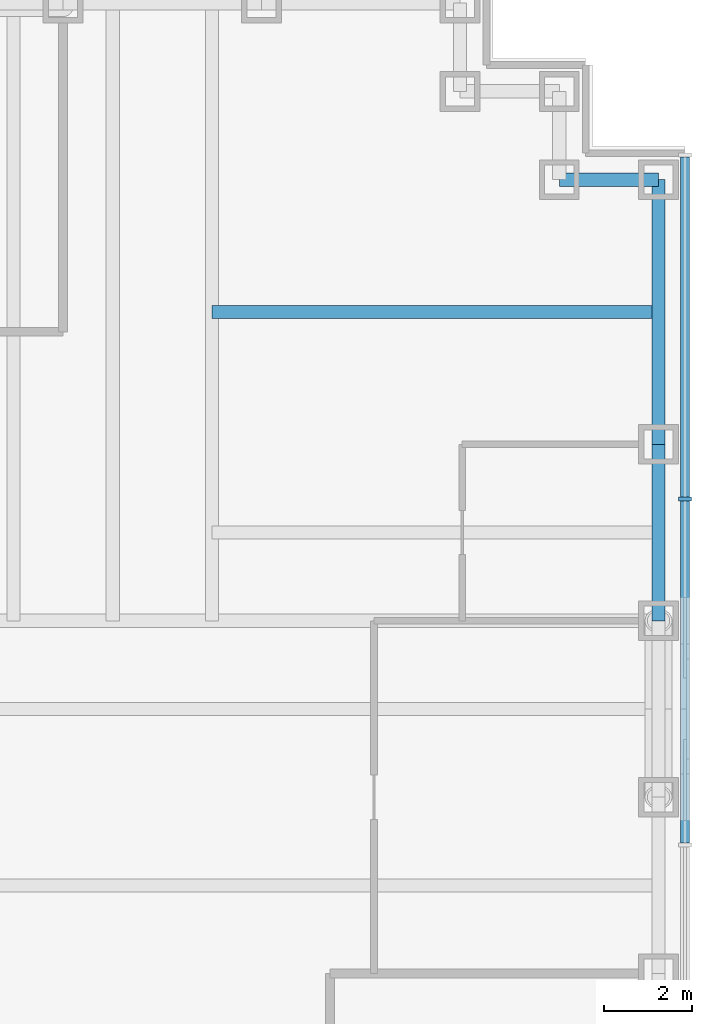
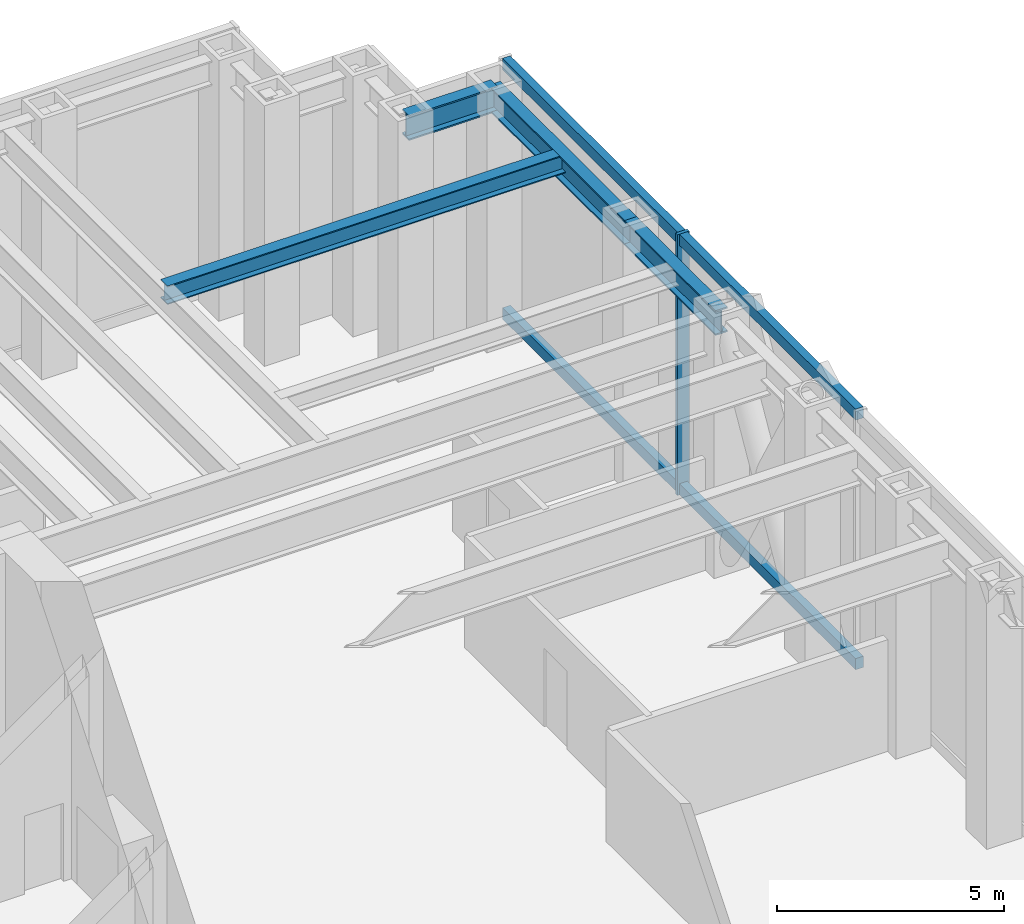
# One storey, part 8 of 17: 5 members, 4 beams, 1 element without a shape of its own.
"""IFC4 building model written with IfcOpenShell, lengths in metres."""

from ifc_helpers import new_model, si_unit, direction, frame, origin, origin_2d, place, context, subcontext, project, spatial, rectangle, i_section, extrude, material, material_profile, profile_set, type_object, element, aggregate, save


model = new_model("IFC4")

# Units and contexts
model_context = context("Model", 3, precision=1e-05, world=origin(), true_north=direction((0.0, 1.0)))
body_context = subcontext(model_context, "Body", "Model", "MODEL_VIEW")
ifc_project = project(units=[si_unit("LENGTHUNIT", "METRE"), si_unit("AREAUNIT", "SQUARE_METRE"), si_unit("VOLUMEUNIT", "CUBIC_METRE"), si_unit("PLANEANGLEUNIT", "RADIAN"), si_unit("MASSUNIT", "GRAM", prefix="KILO")], contexts=[model_context])

# Site, building, storey
site_placement = place(None, origin())
site = spatial("IfcSite", under=ifc_project, at=site_placement, CompositionType="ELEMENT")
building_placement = place(site_placement, origin())
building = spatial("IfcBuilding", under=site, at=building_placement, Name="Rheinbord Bourse Tower", CompositionType="ELEMENT")
storey_placement = place(building_placement, frame((0.0, 0.0, 6.0)))
storey = spatial("IfcBuildingStorey", under=building, at=storey_placement, Name="L01", CompositionType="ELEMENT", Elevation=6.0)

# Curtain wall, members
ifc_material_1 = material(Name="Dark glass and black aluminium", Category="aluminium")
curtain_wall_type = type_object("IfcCurtainWallType", Name="CW4 DARK GLASS CURTAIN WALL", PredefinedType="USERDEFINED", material=ifc_material_1)
curtain_wall_placement = place(storey_placement, origin())
curtain_wall = element("IfcCurtainWall", 1, at=curtain_wall_placement, inside=storey, type_object=curtain_wall_type, Name="Curtain wall CW4 E L01", ObjectType="UNITISED CURTAIN WALL", PredefinedType="USERDEFINED")
ifc_material_2 = material(Name="Black anodised aluminium", Category="aluminium")
ifc_material_profile_1 = material_profile(ifc_material_2, rectangle(XDim=0.300048828125, YDim=0.090087890625, at=origin_2d()), Name="CW4 MULLION 90x300")
ifc_profile_set_1 = profile_set([ifc_material_profile_1], Name="Black anodised aluminium")
member_type_1 = type_object("IfcMemberType", Name="CW4 BLACK MULLION", PredefinedType="MULLION", material=ifc_profile_set_1)
member_1_placement = place(storey_placement, frame((72.60009765625, 34.760009765625, 0.0), z_axis=(0.0, 0.0, 1.0), x_axis=(-1.0, 0.0, 0.0)))
member_1 = element("IfcMember", 2, at=member_1_placement, type_object=member_type_1, Name="CW4 mullion 5", PredefinedType="MULLION", context=body_context, shape_type="SweptSolid", body=[
    extrude(rectangle(XDim=0.300048828125, YDim=0.090087890625, at=origin_2d()), origin(), (0.0, 0.0, 1.0), 7.0),
])
ifc_material_3 = material(Name="Black anodised aluminium", Category="aluminium")
ifc_material_profile_2 = material_profile(ifc_material_3, rectangle(XDim=0.199951171875, YDim=0.300048828125, at=origin_2d()), Name="CW4 TRANSOM 300x200")
ifc_profile_set_2 = profile_set([ifc_material_profile_2], Name="Black anodised aluminium")
member_type_2 = type_object("IfcMemberType", Name="CW4 BLACK TRANSOM", PredefinedType="USERDEFINED", material=ifc_profile_set_2)
member_2_placement = place(storey_placement, frame((72.60009765625, 26.965087890625, 0.14990234375), z_axis=(0.0, 1.0, 0.0), x_axis=(-1.0, 0.0, 0.0)))
member_2 = element("IfcMember", 3, at=member_2_placement, type_object=member_type_2, Name="CW4 transom 4.1", ObjectType="TRANSOM", PredefinedType="USERDEFINED", context=body_context, shape_type="SweptSolid", body=[
    extrude(rectangle(XDim=0.199951171875, YDim=0.300048828125, at=origin_2d()), origin(), (0.0, 0.0, 1.0), 7.75),
])
member_3_placement = place(storey_placement, frame((72.60009765625, 26.965087890625, 6.85009765625), z_axis=(0.0, 1.0, 0.0), x_axis=(-1.0, 0.0, 0.0)))
member_3 = element("IfcMember", 4, at=member_3_placement, type_object=member_type_2, Name="CW4 transom 4.2", ObjectType="TRANSOM", PredefinedType="USERDEFINED", context=body_context, shape_type="SweptSolid", body=[
    extrude(rectangle(XDim=0.199951171875, YDim=0.300048828125, at=origin_2d()), origin(), (0.0, 0.0, 1.0), 7.75),
])
member_4_placement = place(storey_placement, frame((72.60009765625, 34.804931640625, 0.14990234375), z_axis=(0.0, 1.0, 0.0), x_axis=(-1.0, 0.0, 0.0)))
member_4 = element("IfcMember", 5, at=member_4_placement, type_object=member_type_2, Name="CW4 transom 5.1", ObjectType="TRANSOM", PredefinedType="USERDEFINED", context=body_context, shape_type="SweptSolid", body=[
    extrude(rectangle(XDim=0.199951171875, YDim=0.300048828125, at=origin_2d()), origin(), (0.0, 0.0, 1.0), 7.705078125),
])
member_5_placement = place(storey_placement, frame((72.60009765625, 34.804931640625, 6.85009765625), z_axis=(0.0, 1.0, 0.0), x_axis=(-1.0, 0.0, 0.0)))
member_5 = element("IfcMember", 6, at=member_5_placement, type_object=member_type_2, Name="CW4 transom 5.2", ObjectType="TRANSOM", PredefinedType="USERDEFINED", context=body_context, shape_type="SweptSolid", body=[
    extrude(rectangle(XDim=0.199951171875, YDim=0.300048828125, at=origin_2d()), origin(), (0.0, 0.0, 1.0), 7.705078125),
])
aggregate(curtain_wall, [member_1, member_2, member_3, member_4, member_5])

# Beams
ifc_material_4 = material(Name="Steel S460", Category="steel")
ifc_material_profile_3 = material_profile(ifc_material_4, i_section(OverallWidth=0.304931640625, OverallDepth=0.66796875, WebThickness=0.02099609375, FlangeThickness=0.0400390625, at=origin_2d()), Name="HEM 650")
ifc_profile_set_3 = profile_set([ifc_material_profile_3], Name="Steel S460")
beam_type_1 = type_object("IfcBeamType", Name="SPANDREL HEM 650", PredefinedType="SPANDREL", material=ifc_profile_set_3)
beam_1_placement = place(storey_placement, frame((72.0, 32.0, 6.486083984375), z_axis=(0.0, 1.0, 0.0), x_axis=(-1.0, 0.0, 0.0)))
element("IfcBeam", 7, at=beam_1_placement, inside=storey, type_object=beam_type_1, Name="Spandrel E-32-E-36 under L02", PredefinedType="SPANDREL", context=body_context, shape_type="SweptSolid", body=[
    extrude(i_section(OverallWidth=0.304931640625, OverallDepth=0.66796875, WebThickness=0.02099609375, FlangeThickness=0.0400390625, at=origin_2d()), origin(), (0.0, 0.0, 1.0), 4.0),
])
beam_2_placement = place(storey_placement, frame((72.0, 36.0, 6.486083984375), z_axis=(0.0, 1.0, 0.0), x_axis=(-1.0, 0.0, 0.0)))
element("IfcBeam", 8, at=beam_2_placement, inside=storey, type_object=beam_type_1, Name="Spandrel E-36-NE-A under L02", PredefinedType="SPANDREL", context=body_context, shape_type="SweptSolid", body=[
    extrude(i_section(OverallWidth=0.304931640625, OverallDepth=0.66796875, WebThickness=0.02099609375, FlangeThickness=0.0400390625, at=origin_2d()), origin(), (0.0, 0.0, 1.0), 6.0),
])
beam_3_placement = place(storey_placement, frame((72.0, 42.0, 6.486083984375), z_axis=(-1.0, 0.0, 0.0), x_axis=(0.0, -1.0, 0.0)))
element("IfcBeam", 9, at=beam_3_placement, inside=storey, type_object=beam_type_1, Name="Spandrel NE-A-NE-B under L02", PredefinedType="SPANDREL", context=body_context, shape_type="SweptSolid", body=[
    extrude(i_section(OverallWidth=0.304931640625, OverallDepth=0.66796875, WebThickness=0.02099609375, FlangeThickness=0.0400390625, at=origin_2d()), origin(), (0.0, 0.0, 1.0), 2.25),
])
ifc_material_5 = material(Name="Steel S460", Category="steel")
ifc_material_profile_4 = material_profile(ifc_material_5, i_section(OverallWidth=0.300048828125, OverallDepth=0.5, WebThickness=0.014404296875, FlangeThickness=0.028076171875, at=origin_2d()), Name="HEB 500")
ifc_profile_set_4 = profile_set([ifc_material_profile_4], Name="Steel S460")
beam_type_2 = type_object("IfcBeamType", Name="TIE BEAM HEB 500", PredefinedType="JOIST", material=ifc_profile_set_4)
beam_4_placement = place(storey_placement, frame((61.875, 39.0, 6.570068359375), z_axis=(1.0, 0.0, 0.0), x_axis=(0.0, 1.0, 0.0)))
element("IfcBeam", 10, at=beam_4_placement, inside=storey, type_object=beam_type_2, Name="Tie east 39 L02", PredefinedType="JOIST", context=body_context, shape_type="SweptSolid", body=[
    extrude(i_section(OverallWidth=0.300048828125, OverallDepth=0.5, WebThickness=0.014404296875, FlangeThickness=0.028076171875, at=origin_2d()), origin(), (0.0, 0.0, 1.0), 10.125),
])

save(model, "model.ifc")
